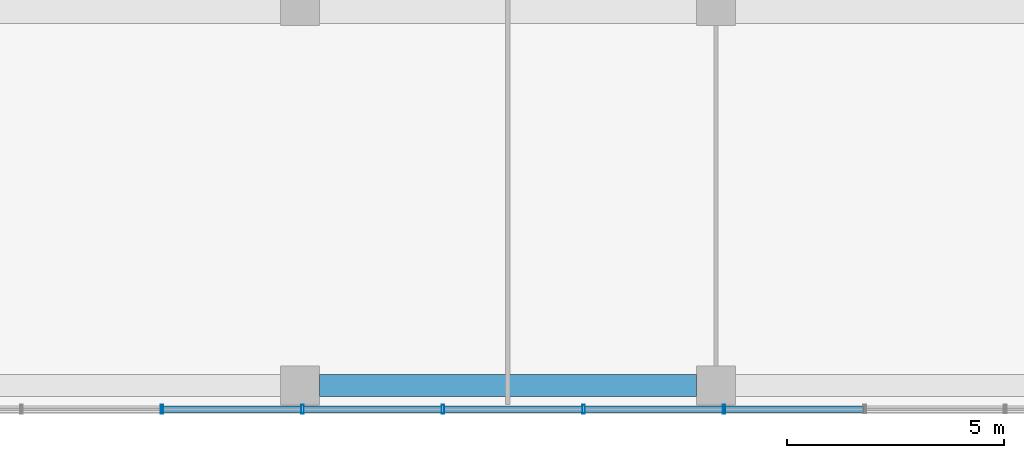
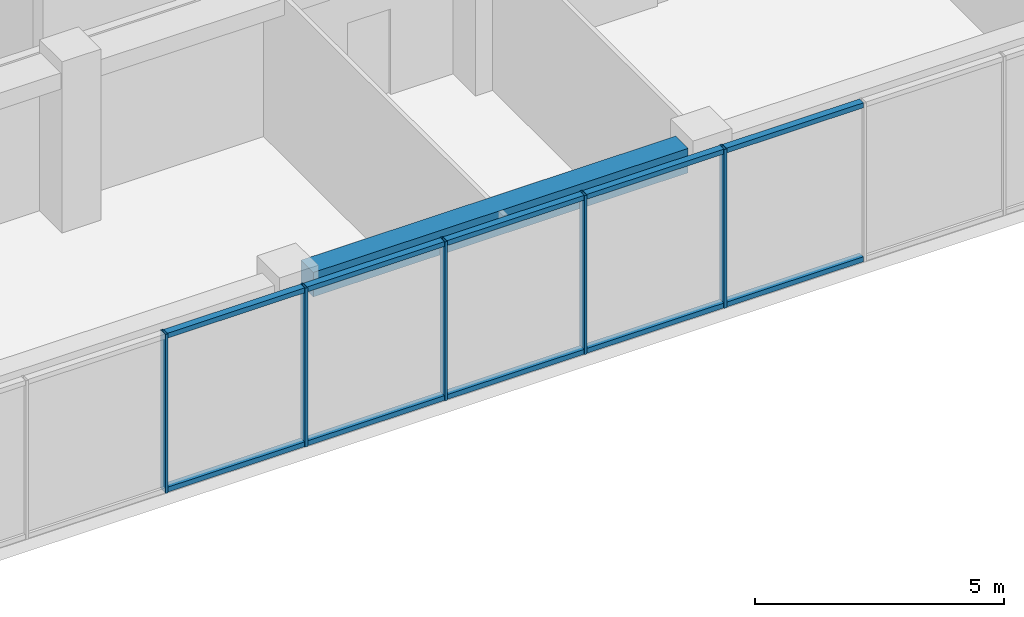
# One storey, part 4 of 36: 15 members, 1 beam, 1 element without a shape of its own.
"""IFC4 building model written with IfcOpenShell, lengths in metres."""

from ifc_helpers import new_model, si_unit, direction, frame, origin, origin_2d, place, context, subcontext, project, spatial, rectangle, hollow_rectangle, extrude, material, layer, layer_set, material_profile, profile_set, type_object, element, aggregate, save


model = new_model("IFC4")

# Units and contexts
model_context = context("Model", 3, precision=1e-05, world=origin(), true_north=direction((0.0, 1.0)))
body_context = subcontext(model_context, "Body", "Model", "MODEL_VIEW")
ifc_project = project(units=[si_unit("LENGTHUNIT", "METRE"), si_unit("AREAUNIT", "SQUARE_METRE"), si_unit("VOLUMEUNIT", "CUBIC_METRE"), si_unit("PLANEANGLEUNIT", "RADIAN"), si_unit("MASSUNIT", "GRAM", prefix="KILO")], contexts=[model_context])

# Site, building, storey
site_placement = place(None, origin())
site = spatial("IfcSite", under=ifc_project, at=site_placement, CompositionType="ELEMENT")
building_placement = place(site_placement, origin())
building = spatial("IfcBuilding", under=site, at=building_placement, Name="Nzadi Deep Aquarium and Research Tower", CompositionType="ELEMENT")
storey_placement = place(building_placement, frame((0.0, 0.0, 44.5)))
storey = spatial("IfcBuildingStorey", under=building, at=storey_placement, Name="L08", CompositionType="ELEMENT", Elevation=44.5)

# Curtain wall, members
ifc_material_1 = material(Name="Aluminium unitised frame", Category="aluminium")
ifc_layer = layer(ifc_material_1, 0.199951171875)
ifc_layer_set = layer_set([ifc_layer], Name="Aluminium unitised frame")
curtain_wall_type = type_object("IfcCurtainWallType", Name="Curtain wall Unitised 200", PredefinedType="NOTDEFINED", material=ifc_layer_set)
curtain_wall_placement = place(storey_placement, origin())
curtain_wall = element("IfcCurtainWall", 1, at=curtain_wall_placement, inside=storey, type_object=curtain_wall_type, Name="Unitised curtain wall blade A south L08", PredefinedType="NOTDEFINED")
ifc_material_2 = material(Name="Aluminium unitised frame", Category="aluminium")
ifc_material_profile_1 = material_profile(ifc_material_2, hollow_rectangle(XDim=0.199951171875, YDim=0.06005859375, WallThickness=0.0048828125, at=origin_2d()))
ifc_profile_set_1 = profile_set([ifc_material_profile_1], Name="Aluminium unitised frame")
member_type_1 = type_object("IfcMemberType", Name="Mullion 60x200 Unitised", PredefinedType="MULLION", material=ifc_profile_set_1)
member_1_placement = place(storey_placement, frame((16.0166015625, -0.10009765625, 0.0), z_axis=(0.0, 0.0, 1.0), x_axis=(0.0, 1.0, 0.0)))
member_1 = element("IfcMember", 2, at=member_1_placement, type_object=member_type_1, Name="CW022 mullion 6", PredefinedType="MULLION", context=body_context, shape_type="SweptSolid", body=[
    extrude(hollow_rectangle(XDim=0.199951171875, YDim=0.06005859375, WallThickness=0.0048828125, at=origin_2d()), origin(), (0.0, 0.0, 1.0), 3.89990234375),
])
member_2_placement = place(storey_placement, frame((19.260009765625, -0.10009765625, 0.0), z_axis=(0.0, 0.0, 1.0), x_axis=(0.0, 1.0, 0.0)))
member_2 = element("IfcMember", 3, at=member_2_placement, type_object=member_type_1, Name="CW022 mullion 7", PredefinedType="MULLION", context=body_context, shape_type="SweptSolid", body=[
    extrude(hollow_rectangle(XDim=0.199951171875, YDim=0.06005859375, WallThickness=0.0048828125, at=origin_2d()), origin(), (0.0, 0.0, 1.0), 3.89990234375),
])
member_3_placement = place(storey_placement, frame((22.50341796875, -0.10009765625, 0.0), z_axis=(0.0, 0.0, 1.0), x_axis=(0.0, 1.0, 0.0)))
member_3 = element("IfcMember", 4, at=member_3_placement, type_object=member_type_1, Name="CW022 mullion 8", PredefinedType="MULLION", context=body_context, shape_type="SweptSolid", body=[
    extrude(hollow_rectangle(XDim=0.199951171875, YDim=0.06005859375, WallThickness=0.0048828125, at=origin_2d()), origin(), (0.0, 0.0, 1.0), 3.89990234375),
])
member_4_placement = place(storey_placement, frame((25.74658203125, -0.10009765625, 0.0), z_axis=(0.0, 0.0, 1.0), x_axis=(0.0, 1.0, 0.0)))
member_4 = element("IfcMember", 5, at=member_4_placement, type_object=member_type_1, Name="CW022 mullion 9", PredefinedType="MULLION", context=body_context, shape_type="SweptSolid", body=[
    extrude(hollow_rectangle(XDim=0.199951171875, YDim=0.06005859375, WallThickness=0.0048828125, at=origin_2d()), origin(), (0.0, 0.0, 1.0), 3.89990234375),
])
member_5_placement = place(storey_placement, frame((28.989990234375, -0.10009765625, 0.0), z_axis=(0.0, 0.0, 1.0), x_axis=(0.0, 1.0, 0.0)))
member_5 = element("IfcMember", 6, at=member_5_placement, type_object=member_type_1, Name="CW022 mullion 10", PredefinedType="MULLION", context=body_context, shape_type="SweptSolid", body=[
    extrude(hollow_rectangle(XDim=0.199951171875, YDim=0.06005859375, WallThickness=0.0048828125, at=origin_2d()), origin(), (0.0, 0.0, 1.0), 3.89990234375),
])

# Beam
ifc_material_3 = material(Name="Concrete C35/45", Category="concrete")
ifc_material_profile_2 = material_profile(ifc_material_3, rectangle(XDim=0.5, YDim=0.60009765625, at=origin_2d()))
ifc_profile_set_2 = profile_set([ifc_material_profile_2], Name="Concrete C35/45")
beam_type = type_object("IfcBeamType", Name="RC 500x600", PredefinedType="BEAM", material=ifc_profile_set_2)
beam_placement = place(storey_placement, frame((19.64990234375, 0.449951171875, 3.60009765625), z_axis=(1.0, 0.0, 0.0), x_axis=(0.0, 1.0, 0.0)))
element("IfcBeam", 7, at=beam_placement, inside=storey, type_object=beam_type, Name="B-Z1-L08-L1-3", PredefinedType="BEAM", context=body_context, shape_type="SweptSolid", body=[
    extrude(rectangle(XDim=0.5, YDim=0.60009765625, at=origin_2d()), origin(), (0.0, 0.0, 1.0), 8.7001953125),
])

# Member
ifc_material_4 = material(Name="Aluminium unitised frame", Category="aluminium")
ifc_material_profile_3 = material_profile(ifc_material_4, hollow_rectangle(XDim=0.159912109375, YDim=0.1201171875, WallThickness=0.0048828125, at=origin_2d()))
ifc_profile_set_3 = profile_set([ifc_material_profile_3], Name="Aluminium unitised frame")
member_type_2 = type_object("IfcMemberType", Name="Transom 120x160 Unitised", PredefinedType="MULLION", material=ifc_profile_set_3)
member_6_placement = place(storey_placement, frame((16.046630859375, -0.10009765625, 0.06005859375), z_axis=(1.0, 0.0, 0.0), x_axis=(0.0, 1.0, 0.0)))
member_6 = element("IfcMember", 8, at=member_6_placement, type_object=member_type_2, Name="CW022 transom 6.1", PredefinedType="MULLION", context=body_context, shape_type="SweptSolid", body=[
    extrude(hollow_rectangle(XDim=0.159912109375, YDim=0.1201171875, WallThickness=0.0048828125, at=origin_2d()), origin(), (0.0, 0.0, 1.0), 3.183349609375),
])

member_7_placement = place(storey_placement, frame((16.046630859375, -0.10009765625, 3.840087890625), z_axis=(1.0, 0.0, 0.0), x_axis=(0.0, 1.0, 0.0)))
member_7 = element("IfcMember", 9, at=member_7_placement, type_object=member_type_2, Name="CW022 transom 6.2", PredefinedType="MULLION", context=body_context, shape_type="SweptSolid", body=[
    extrude(hollow_rectangle(XDim=0.159912109375, YDim=0.1201171875, WallThickness=0.0048828125, at=origin_2d()), origin(), (0.0, 0.0, 1.0), 3.183349609375),
])

member_8_placement = place(storey_placement, frame((19.2900390625, -0.10009765625, 0.06005859375), z_axis=(1.0, 0.0, 0.0), x_axis=(0.0, 1.0, 0.0)))
member_8 = element("IfcMember", 10, at=member_8_placement, type_object=member_type_2, Name="CW022 transom 7.1", PredefinedType="MULLION", context=body_context, shape_type="SweptSolid", body=[
    extrude(hollow_rectangle(XDim=0.159912109375, YDim=0.1201171875, WallThickness=0.0048828125, at=origin_2d()), origin(), (0.0, 0.0, 1.0), 3.183349609375),
])

member_9_placement = place(storey_placement, frame((19.2900390625, -0.10009765625, 3.840087890625), z_axis=(1.0, 0.0, 0.0), x_axis=(0.0, 1.0, 0.0)))
member_9 = element("IfcMember", 11, at=member_9_placement, type_object=member_type_2, Name="CW022 transom 7.2", PredefinedType="MULLION", context=body_context, shape_type="SweptSolid", body=[
    extrude(hollow_rectangle(XDim=0.159912109375, YDim=0.1201171875, WallThickness=0.0048828125, at=origin_2d()), origin(), (0.0, 0.0, 1.0), 3.183349609375),
])

member_10_placement = place(storey_placement, frame((22.533447265625, -0.10009765625, 0.06005859375), z_axis=(1.0, 0.0, 0.0), x_axis=(0.0, 1.0, 0.0)))
member_10 = element("IfcMember", 12, at=member_10_placement, type_object=member_type_2, Name="CW022 transom 8.1", PredefinedType="MULLION", context=body_context, shape_type="SweptSolid", body=[
    extrude(hollow_rectangle(XDim=0.159912109375, YDim=0.1201171875, WallThickness=0.0048828125, at=origin_2d()), origin(), (0.0, 0.0, 1.0), 3.18310546875),
])

member_11_placement = place(storey_placement, frame((22.533447265625, -0.10009765625, 3.840087890625), z_axis=(1.0, 0.0, 0.0), x_axis=(0.0, 1.0, 0.0)))
member_11 = element("IfcMember", 13, at=member_11_placement, type_object=member_type_2, Name="CW022 transom 8.2", PredefinedType="MULLION", context=body_context, shape_type="SweptSolid", body=[
    extrude(hollow_rectangle(XDim=0.159912109375, YDim=0.1201171875, WallThickness=0.0048828125, at=origin_2d()), origin(), (0.0, 0.0, 1.0), 3.18310546875),
])

member_12_placement = place(storey_placement, frame((25.776611328125, -0.10009765625, 0.06005859375), z_axis=(1.0, 0.0, 0.0), x_axis=(0.0, 1.0, 0.0)))
member_12 = element("IfcMember", 14, at=member_12_placement, type_object=member_type_2, Name="CW022 transom 9.1", PredefinedType="MULLION", context=body_context, shape_type="SweptSolid", body=[
    extrude(hollow_rectangle(XDim=0.159912109375, YDim=0.1201171875, WallThickness=0.0048828125, at=origin_2d()), origin(), (0.0, 0.0, 1.0), 3.183349609375),
])

member_13_placement = place(storey_placement, frame((25.776611328125, -0.10009765625, 3.840087890625), z_axis=(1.0, 0.0, 0.0), x_axis=(0.0, 1.0, 0.0)))
member_13 = element("IfcMember", 15, at=member_13_placement, type_object=member_type_2, Name="CW022 transom 9.2", PredefinedType="MULLION", context=body_context, shape_type="SweptSolid", body=[
    extrude(hollow_rectangle(XDim=0.159912109375, YDim=0.1201171875, WallThickness=0.0048828125, at=origin_2d()), origin(), (0.0, 0.0, 1.0), 3.183349609375),
])

member_14_placement = place(storey_placement, frame((29.02001953125, -0.10009765625, 0.06005859375), z_axis=(1.0, 0.0, 0.0), x_axis=(0.0, 1.0, 0.0)))
member_14 = element("IfcMember", 16, at=member_14_placement, type_object=member_type_2, Name="CW022 transom 10.1", PredefinedType="MULLION", context=body_context, shape_type="SweptSolid", body=[
    extrude(hollow_rectangle(XDim=0.159912109375, YDim=0.1201171875, WallThickness=0.0048828125, at=origin_2d()), origin(), (0.0, 0.0, 1.0), 3.183349609375),
])

member_15_placement = place(storey_placement, frame((29.02001953125, -0.10009765625, 3.840087890625), z_axis=(1.0, 0.0, 0.0), x_axis=(0.0, 1.0, 0.0)))
member_15 = element("IfcMember", 17, at=member_15_placement, type_object=member_type_2, Name="CW022 transom 10.2", PredefinedType="MULLION", context=body_context, shape_type="SweptSolid", body=[
    extrude(hollow_rectangle(XDim=0.159912109375, YDim=0.1201171875, WallThickness=0.0048828125, at=origin_2d()), origin(), (0.0, 0.0, 1.0), 3.183349609375),
])

aggregate(curtain_wall, [member_1, member_2, member_3, member_4, member_5, member_6, member_7, member_8, member_9, member_10, member_11, member_12, member_13, member_14, member_15])

save(model, "model.ifc")
